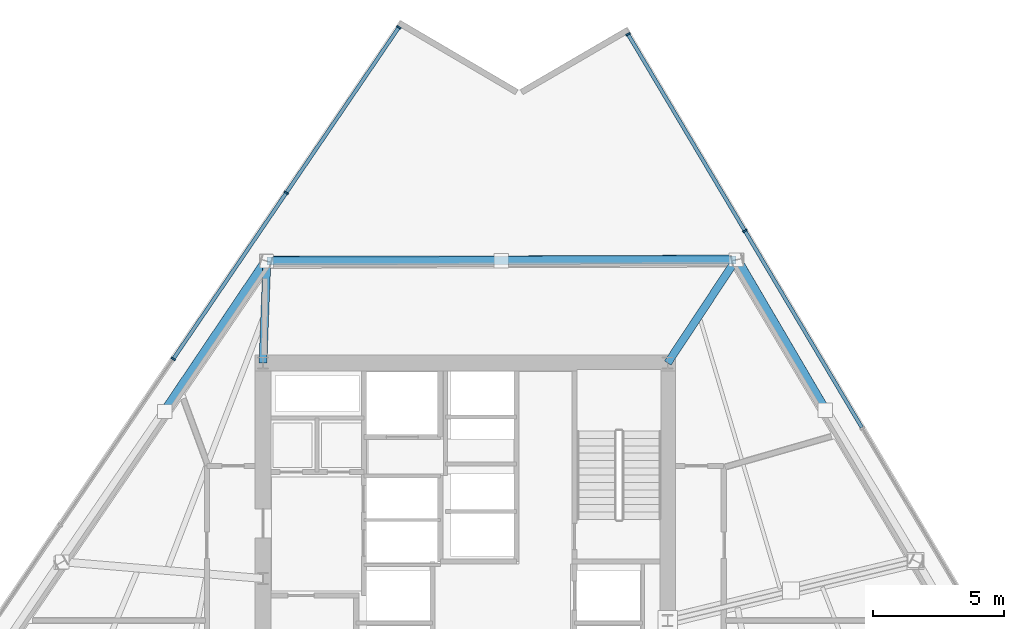
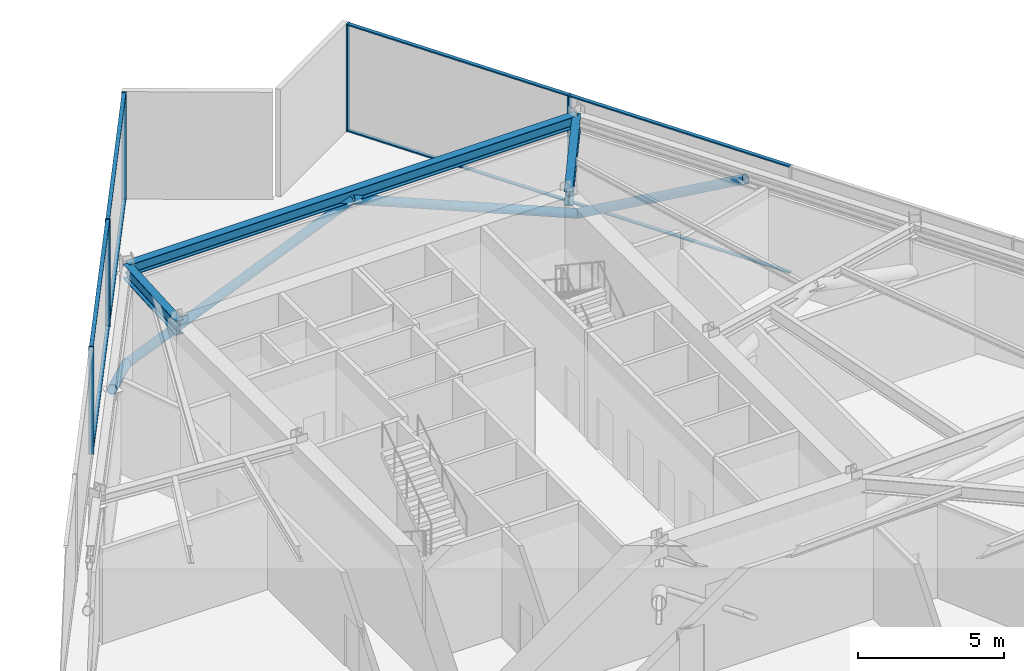
# One storey, part 7 of 16: 17 members, 3 beams, 2 elements without a shape of their own.
"""IFC4 building model written with IfcOpenShell, lengths in metres."""

from ifc_helpers import new_model, si_unit, direction, frame, origin, origin_2d, place, context, subcontext, project, spatial, rectangle, hollow_circle, i_section, extrude, material, material_profile, profile_set, type_object, element, aggregate, save


model = new_model("IFC4")

# Units and contexts
model_context = context("Model", 3, precision=1e-05, world=origin(), true_north=direction((0.0, 1.0)))
body_context = subcontext(model_context, "Body", "Model", "MODEL_VIEW")
ifc_project = project(units=[si_unit("LENGTHUNIT", "METRE"), si_unit("AREAUNIT", "SQUARE_METRE"), si_unit("VOLUMEUNIT", "CUBIC_METRE"), si_unit("PLANEANGLEUNIT", "RADIAN"), si_unit("MASSUNIT", "GRAM", prefix="KILO")], contexts=[model_context])

# Site, building, storey
site_placement = place(None, origin())
site = spatial("IfcSite", under=ifc_project, at=site_placement, CompositionType="ELEMENT")
building_placement = place(site_placement, origin())
building = spatial("IfcBuilding", under=site, at=building_placement, Name="Savorim Split Tower", CompositionType="ELEMENT")
storey_placement = place(building_placement, frame((0.0, 0.0, 73.199951171875)))
storey = spatial("IfcBuildingStorey", under=building, at=storey_placement, Name="L19", CompositionType="ELEMENT", Elevation=73.199951171875)

# Beams
ifc_material_1 = material(Name="Steel S355", Category="steel")
ifc_material_profile_1 = material_profile(ifc_material_1, i_section(OverallWidth=0.300048828125, OverallDepth=0.60009765625, WebThickness=0.015380859375, FlangeThickness=0.030029296875, FilletRadius=0.027099609375, at=origin_2d()), Name="HEB 600")
ifc_profile_set_1 = profile_set([ifc_material_profile_1], Name="Steel S355")
beam_type_1 = type_object("IfcBeamType", Name="BM-PRI-HEB600", PredefinedType="BEAM", material=ifc_profile_set_1)
beam_1_placement = place(storey_placement, frame((10.293212890625, 14.1220703125, 4.199951171875), z_axis=(-0.551532839786, -0.834153179361, 0.0), x_axis=(0.834153179361, -0.551532839786, 0.0)))
element("IfcBeam", 1, at=beam_1_placement, inside=storey, type_object=beam_type_1, Name="L19 Primary Floor Girder RG-07", PredefinedType="BEAM", context=body_context, shape_type="SweptSolid", body=[
    extrude(i_section(OverallWidth=0.300048828125, OverallDepth=0.60009765625, WebThickness=0.015380859375, FlangeThickness=0.030029296875, FilletRadius=0.027099609375, at=origin_2d()), origin(), (0.0, 0.0, 1.0), 4.701904296875),
])
beam_2_placement = place(storey_placement, frame((-7.54833984375, 14.0732421875, 4.199951171875), z_axis=(-0.039112815094, -0.999234801083, 0.0), x_axis=(0.999234801083, -0.039112815094, 0.0)))
element("IfcBeam", 2, at=beam_2_placement, inside=storey, type_object=beam_type_1, Name="L19 Primary Floor Girder RG-08", PredefinedType="BEAM", context=body_context, shape_type="SweptSolid", body=[
    extrude(i_section(OverallWidth=0.300048828125, OverallDepth=0.60009765625, WebThickness=0.015380859375, FlangeThickness=0.030029296875, FilletRadius=0.027099609375, at=origin_2d()), origin(), (0.0, 0.0, 1.0), 3.876220703125),
])
ifc_material_profile_2 = material_profile(ifc_material_1, i_section(OverallWidth=0.300048828125, OverallDepth=0.489990234375, WebThickness=0.011962890625, FlangeThickness=0.02294921875, FilletRadius=0.027099609375, at=origin_2d()), Name="HEA 500")
ifc_profile_set_2 = profile_set([ifc_material_profile_2], Name="Steel S355")
beam_type_2 = type_object("IfcBeamType", Name="BM-SPN-HEA500", PredefinedType="SPANDREL", material=ifc_profile_set_2)
beam_3_placement = place(storey_placement, frame((10.293212890625, 14.1220703125, 4.255126953125), z_axis=(-0.999996255082, -0.002736754075, 0.0), x_axis=(0.002736754075, -0.999996255082, 0.0)))
element("IfcBeam", 3, at=beam_3_placement, inside=storey, type_object=beam_type_2, Name="L19 Perimeter Spandrel Beam 7", PredefinedType="SPANDREL", context=body_context, shape_type="SweptSolid", body=[
    extrude(i_section(OverallWidth=0.300048828125, OverallDepth=0.489990234375, WebThickness=0.011962890625, FlangeThickness=0.02294921875, FilletRadius=0.027099609375, at=origin_2d()), origin(), (0.0, 0.0, 1.0), 17.841552734375),
])

# Curtain wall, members
ifc_material_2 = material(Name="Dark Ceramic-Fritted Insulated Glass", Category="glass")
curtain_wall_type = type_object("IfcCurtainWallType", Name="CW-REFUGE-LVR", PredefinedType="NOTDEFINED", material=ifc_material_2)
curtain_wall_1_placement = place(storey_placement, origin())
curtain_wall_1 = element("IfcCurtainWall", 4, at=curtain_wall_1_placement, inside=storey, type_object=curtain_wall_type, Name="L19 Curtain Wall CW-L19-EAST", PredefinedType="NOTDEFINED")
ifc_material_3 = material(Name="Charcoal Anodised Aluminium", Category="aluminium")
ifc_material_profile_3 = material_profile(ifc_material_3, rectangle(XDim=0.179931640625, YDim=0.06494140625, at=origin_2d()), Name="ALU-M 180x65")
ifc_profile_set_3 = profile_set([ifc_material_profile_3], Name="Charcoal Anodised Aluminium")
member_type_1 = type_object("IfcMemberType", Name="CWM-180x65", PredefinedType="MULLION", material=ifc_profile_set_3)
member_1_placement = place(storey_placement, frame((10.63720703125, 15.225341796875, 0.0), z_axis=(0.0, 0.0, 1.0), x_axis=(-0.85952523283, -0.511093312545, 0.0)))
member_1 = element("IfcMember", 5, at=member_1_placement, type_object=member_type_1, Name="CW-06 mullion 5", PredefinedType="MULLION", context=body_context, shape_type="SweptSolid", body=[
    extrude(rectangle(XDim=0.179931640625, YDim=0.06494140625, at=origin_2d()), origin(), (0.0, 0.0, 1.0), 4.5),
])
member_2_placement = place(storey_placement, frame((6.18896484375, 22.706298828125, 0.0), z_axis=(0.0, 0.0, 1.0), x_axis=(-0.85952523283, -0.511093312545, 0.0)))
member_2 = element("IfcMember", 6, at=member_2_placement, type_object=member_type_1, Name="CW-06 mullion 6", PredefinedType="MULLION", context=body_context, shape_type="SweptSolid", body=[
    extrude(rectangle(XDim=0.179931640625, YDim=0.06494140625, at=origin_2d()), origin(), (0.0, 0.0, 1.0), 4.5),
])

curtain_wall_2_placement = place(storey_placement, origin())
curtain_wall_2 = element("IfcCurtainWall", 7, at=curtain_wall_2_placement, inside=storey, type_object=curtain_wall_type, Name="L19 Curtain Wall CW-L19-WEST", PredefinedType="NOTDEFINED")
member_3_placement = place(storey_placement, frame((-2.526123046875, 22.971923828125, 0.0), z_axis=(0.0, 0.0, 1.0), x_axis=(0.826819906685, -0.562466747381, 0.0)))
member_3 = element("IfcMember", 8, at=member_3_placement, type_object=member_type_1, Name="CW-06 mullion 1", PredefinedType="MULLION", context=body_context, shape_type="SweptSolid", body=[
    extrude(rectangle(XDim=0.179931640625, YDim=0.06494140625, at=origin_2d()), origin(), (0.0, 0.0, 1.0), 4.5),
])
member_4_placement = place(storey_placement, frame((-6.808837890625, 16.676513671875, 0.0), z_axis=(0.0, 0.0, 1.0), x_axis=(0.826819906685, -0.562466747381, 0.0)))
member_4 = element("IfcMember", 9, at=member_4_placement, type_object=member_type_1, Name="CW-06 mullion 2", PredefinedType="MULLION", context=body_context, shape_type="SweptSolid", body=[
    extrude(rectangle(XDim=0.179931640625, YDim=0.06494140625, at=origin_2d()), origin(), (0.0, 0.0, 1.0), 4.5),
])
member_5_placement = place(storey_placement, frame((-11.109619140625, 10.35400390625, 0.0), z_axis=(0.0, 0.0, 1.0), x_axis=(0.826819906685, -0.562466747381, 0.0)))
member_5 = element("IfcMember", 10, at=member_5_placement, type_object=member_type_1, Name="CW-06 mullion 3", PredefinedType="MULLION", context=body_context, shape_type="SweptSolid", body=[
    extrude(rectangle(XDim=0.179931640625, YDim=0.06494140625, at=origin_2d()), origin(), (0.0, 0.0, 1.0), 4.5),
])

# Member
ifc_material_profile_4 = material_profile(ifc_material_3, rectangle(XDim=0.139892578125, YDim=0.054931640625, at=origin_2d()), Name="ALU-T 140x55")
ifc_profile_set_4 = profile_set([ifc_material_profile_4], Name="Charcoal Anodised Aluminium")
member_type_2 = type_object("IfcMemberType", Name="CWT-140x55", PredefinedType="USERDEFINED", material=ifc_profile_set_4)
member_6_placement = place(storey_placement, frame((15.08544921875, 7.74462890625, 0.027587890625), z_axis=(-0.511092259178, 0.859525859185, 0.0), x_axis=(-0.859525859185, -0.511092259178, 0.0)))
member_6 = element("IfcMember", 11, at=member_6_placement, type_object=member_type_2, Name="CW-06 transom 4.1", ObjectType="TRANSOM", PredefinedType="USERDEFINED", context=body_context, shape_type="SweptSolid", body=[
    extrude(rectangle(XDim=0.139892578125, YDim=0.054931640625, at=origin_2d()), origin(), (0.0, 0.0, 1.0), 8.6708984375),
])

member_7_placement = place(storey_placement, frame((15.08544921875, 7.74462890625, 4.47265625), z_axis=(-0.511092259178, 0.859525859185, 0.0), x_axis=(-0.859525859185, -0.511092259178, 0.0)))
member_7 = element("IfcMember", 12, at=member_7_placement, type_object=member_type_2, Name="CW-06 transom 4.2", ObjectType="TRANSOM", PredefinedType="USERDEFINED", context=body_context, shape_type="SweptSolid", body=[
    extrude(rectangle(XDim=0.139892578125, YDim=0.054931640625, at=origin_2d()), origin(), (0.0, 0.0, 1.0), 8.6708984375),
])

member_8_placement = place(storey_placement, frame((10.62060546875, 15.25341796875, 0.027587890625), z_axis=(-0.511100223455, 0.859521123408, 0.0), x_axis=(-0.859521123408, -0.511100223455, 0.0)))
member_8 = element("IfcMember", 13, at=member_8_placement, type_object=member_type_2, Name="CW-06 transom 5.1", ObjectType="TRANSOM", PredefinedType="USERDEFINED", context=body_context, shape_type="SweptSolid", body=[
    extrude(rectangle(XDim=0.139892578125, YDim=0.054931640625, at=origin_2d()), origin(), (0.0, 0.0, 1.0), 8.63818359375),
])

member_9_placement = place(storey_placement, frame((10.62060546875, 15.25341796875, 4.47265625), z_axis=(-0.511100223455, 0.859521123408, 0.0), x_axis=(-0.859521123408, -0.511100223455, 0.0)))
member_9 = element("IfcMember", 14, at=member_9_placement, type_object=member_type_2, Name="CW-06 transom 5.2", ObjectType="TRANSOM", PredefinedType="USERDEFINED", context=body_context, shape_type="SweptSolid", body=[
    extrude(rectangle(XDim=0.139892578125, YDim=0.054931640625, at=origin_2d()), origin(), (0.0, 0.0, 1.0), 8.63818359375),
])

aggregate(curtain_wall_1, [member_1, member_2, member_6, member_7, member_8, member_9])

member_10_placement = place(storey_placement, frame((-2.54443359375, 22.945068359375, 0.027587890625), z_axis=(-0.562467468114, -0.826819416387, 0.0), x_axis=(0.826819416387, -0.562467468114, 0.0)))
member_10 = element("IfcMember", 15, at=member_10_placement, type_object=member_type_2, Name="CW-06 transom 1.1", ObjectType="TRANSOM", PredefinedType="USERDEFINED", context=body_context, shape_type="SweptSolid", body=[
    extrude(rectangle(XDim=0.139892578125, YDim=0.054931640625, at=origin_2d()), origin(), (0.0, 0.0, 1.0), 7.549072265625),
])

member_11_placement = place(storey_placement, frame((-2.54443359375, 22.945068359375, 4.47265625), z_axis=(-0.562467468114, -0.826819416387, 0.0), x_axis=(0.826819416387, -0.562467468114, 0.0)))
member_11 = element("IfcMember", 16, at=member_11_placement, type_object=member_type_2, Name="CW-06 transom 1.2", ObjectType="TRANSOM", PredefinedType="USERDEFINED", context=body_context, shape_type="SweptSolid", body=[
    extrude(rectangle(XDim=0.139892578125, YDim=0.054931640625, at=origin_2d()), origin(), (0.0, 0.0, 1.0), 7.549072265625),
])

member_12_placement = place(storey_placement, frame((-6.826904296875, 16.6494140625, 0.027587890625), z_axis=(-0.562471196559, -0.826816879993, 0.0), x_axis=(0.826816879993, -0.562471196559, 0.0)))
member_12 = element("IfcMember", 17, at=member_12_placement, type_object=member_type_2, Name="CW-06 transom 2.1", ObjectType="TRANSOM", PredefinedType="USERDEFINED", context=body_context, shape_type="SweptSolid", body=[
    extrude(rectangle(XDim=0.139892578125, YDim=0.054931640625, at=origin_2d()), origin(), (0.0, 0.0, 1.0), 7.58154296875),
])

member_13_placement = place(storey_placement, frame((-6.826904296875, 16.6494140625, 4.47265625), z_axis=(-0.562471196559, -0.826816879993, 0.0), x_axis=(0.826816879993, -0.562471196559, 0.0)))
member_13 = element("IfcMember", 18, at=member_13_placement, type_object=member_type_2, Name="CW-06 transom 2.2", ObjectType="TRANSOM", PredefinedType="USERDEFINED", context=body_context, shape_type="SweptSolid", body=[
    extrude(rectangle(XDim=0.139892578125, YDim=0.054931640625, at=origin_2d()), origin(), (0.0, 0.0, 1.0), 7.58154296875),
])

aggregate(curtain_wall_2, [member_3, member_4, member_5, member_10, member_11, member_12, member_13])

# Members
ifc_material_4 = material(Name="Steel S460", Category="steel")
ifc_material_profile_5 = material_profile(ifc_material_4, hollow_circle(Radius=0.177734375, WallThickness=0.02001953125, at=origin_2d()), Name="CHS 355.6x20")
ifc_profile_set_5 = profile_set([ifc_material_profile_5], Name="Steel S460")
member_type_3 = type_object("IfcMemberType", Name="MBR-BLT-CHS355", PredefinedType="BRACE", material=ifc_profile_set_5)
member_14_placement = place(storey_placement, frame((10.334228515625, 14.131103515625, 0.280029296875), z_axis=(0.440558806008, -0.751082016172, 0.49171510393), x_axis=(0.862562985278, 0.505949697528, 0.0)))
element("IfcMember", 19, at=member_14_placement, inside=storey, type_object=member_type_3, Name="L19 Perimeter Belt Truss Brace 6B", PredefinedType="BRACE", context=body_context, shape_type="SweptSolid", body=[
    extrude(hollow_circle(Radius=0.177734375, WallThickness=0.02001953125, at=origin_2d()), origin(), (0.0, 0.0, 1.0), 7.62646484375),
])
member_15_placement = place(storey_placement, frame((10.334228515625, 14.131103515625, 0.280029296875), z_axis=(-0.922486723394, -0.003442958594, 0.386013459867), x_axis=(0.003732232158, -0.999993035197, 0.0)))
element("IfcMember", 20, at=member_15_placement, inside=storey, type_object=member_type_3, Name="L19 Perimeter Belt Truss Brace 7A", PredefinedType="BRACE", context=body_context, shape_type="SweptSolid", body=[
    extrude(hollow_circle(Radius=0.177734375, WallThickness=0.02001953125, at=origin_2d()), origin(), (0.0, 0.0, 1.0), 9.714599609375),
])
member_16_placement = place(storey_placement, frame((-7.578857421875, 14.082275390625, 0.280029296875), z_axis=(0.922333522856, 0.001584808726, 0.386391460823), x_axis=(-0.001718257384, 0.999998523795, 0.0)))
element("IfcMember", 21, at=member_16_placement, inside=storey, type_object=member_type_3, Name="L19 Perimeter Belt Truss Brace 7B", PredefinedType="BRACE", context=body_context, shape_type="SweptSolid", body=[
    extrude(hollow_circle(Radius=0.177734375, WallThickness=0.02001953125, at=origin_2d()), origin(), (0.0, 0.0, 1.0), 9.705078125),
])
member_17_placement = place(storey_placement, frame((-7.578857421875, 14.082275390625, 0.280029296875), z_axis=(-0.491133148812, -0.728794253205, 0.477123848318), x_axis=(0.829272125073, -0.558845007652, 0.0)))
element("IfcMember", 22, at=member_17_placement, inside=storey, type_object=member_type_3, Name="L19 Perimeter Belt Truss Brace 8A", PredefinedType="BRACE", context=body_context, shape_type="SweptSolid", body=[
    extrude(hollow_circle(Radius=0.177734375, WallThickness=0.02001953125, at=origin_2d()), origin(), (0.0, 0.0, 1.0), 7.859619140625),
])

save(model, "model.ifc")
